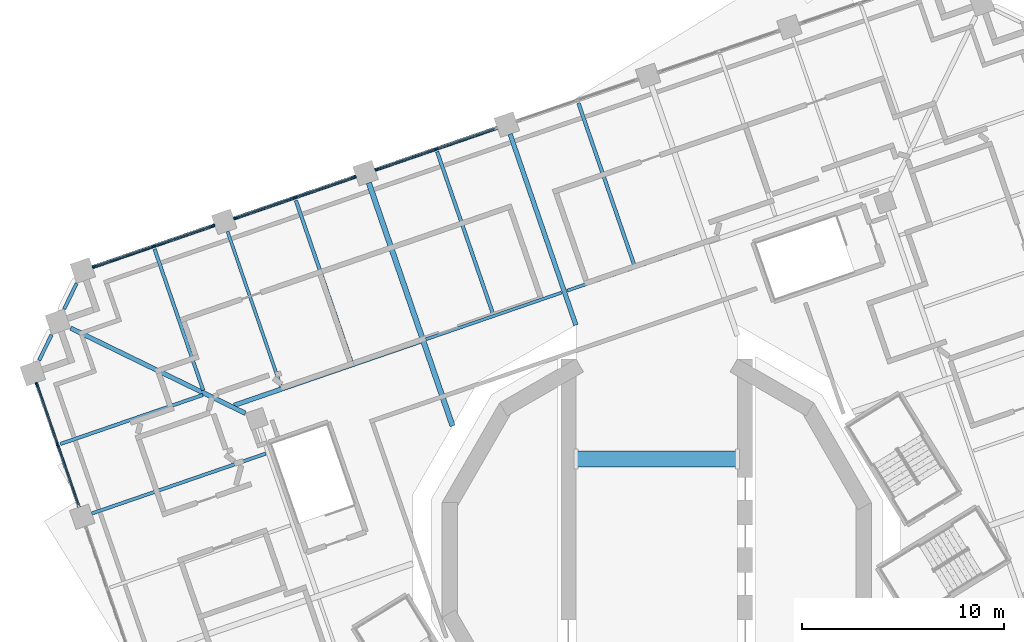
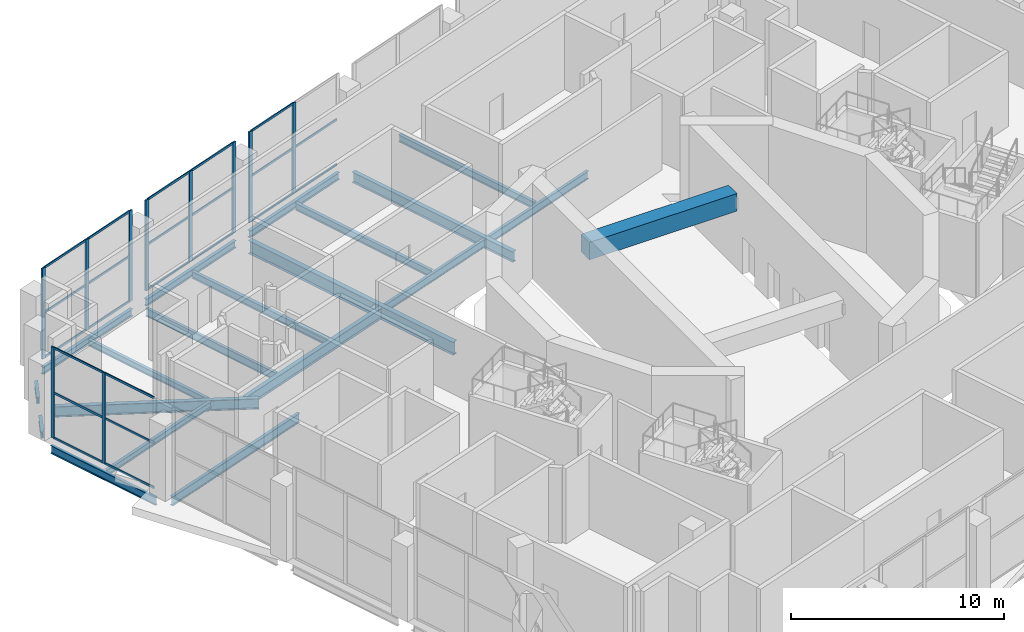
# One storey, part 6 of 20: 33 members, 20 beams, 4 elements without a shape of their own.
"""IFC4 building model written with IfcOpenShell, lengths in metres."""

from ifc_helpers import new_model, si_unit, direction, frame, origin, origin_2d, place, context, subcontext, project, spatial, rectangle, i_section, extrude, material, material_profile, profile_set, type_object, element, aggregate, save


model = new_model("IFC4")

# Units and contexts
model_context = context("Model", 3, precision=1e-05, world=origin(), true_north=direction((0.0, 1.0)))
body_context = subcontext(model_context, "Body", "Model", "MODEL_VIEW")
ifc_project = project(units=[si_unit("LENGTHUNIT", "METRE"), si_unit("AREAUNIT", "SQUARE_METRE"), si_unit("VOLUMEUNIT", "CUBIC_METRE"), si_unit("PLANEANGLEUNIT", "RADIAN"), si_unit("MASSUNIT", "GRAM", prefix="KILO")], contexts=[model_context])

# Site, building, storey
site_placement = place(None, origin())
site = spatial("IfcSite", under=ifc_project, at=site_placement, CompositionType="ELEMENT")
building_placement = place(site_placement, origin())
building = spatial("IfcBuilding", under=site, at=building_placement, Name="Cantera Rosa Tower", CompositionType="ELEMENT")
storey_placement = place(building_placement, frame((0.0, 0.0, 142.10009765625)))
storey = spatial("IfcBuildingStorey", under=building, at=storey_placement, Name="L30", CompositionType="ELEMENT", Elevation=142.10009765625)

# Curtain wall, members
ifc_material_1 = material(Name="Anodised aluminium louvre", Category="aluminium")
curtain_wall_type = type_object("IfcCurtainWallType", Name="CW3 REFUGE LOUVRE WALL", PredefinedType="NOTDEFINED", material=ifc_material_1)
curtain_wall_1_placement = place(storey_placement, origin())
curtain_wall_1 = element("IfcCurtainWall", 1, at=curtain_wall_1_placement, inside=storey, type_object=curtain_wall_type, Name="CW3 CW3", PredefinedType="NOTDEFINED")
ifc_material_2 = material(Name="Anodised bronze aluminium", Category="aluminium")
ifc_material_profile_1 = material_profile(ifc_material_2, rectangle(XDim=0.080078125, YDim=0.199951171875, at=origin_2d()), Name="CW-MULLION 80x200 REFUGE")
ifc_profile_set_1 = profile_set([ifc_material_profile_1], Name="Anodised bronze aluminium")
member_type_1 = type_object("IfcMemberType", Name="CW-MULLION 80x200 REFUGE", PredefinedType="MULLION", material=ifc_profile_set_1)
member_1_placement = place(storey_placement, frame((-10.92138671875, 20.353271484375, 0.0), z_axis=(0.0, 0.0, 1.0), x_axis=(0.325568154457, -0.945518575599, 0.0)))
member_1 = element("IfcMember", 2, at=member_1_placement, type_object=member_type_1, Name="CW3 mullion 2", PredefinedType="MULLION", context=body_context, shape_type="SweptSolid", body=[
    extrude(rectangle(XDim=0.080078125, YDim=0.199951171875, at=origin_2d()), origin(), (0.0, 0.0, 1.0), 5.199951171875),
])
member_2_placement = place(storey_placement, frame((-13.86181640625, 19.3408203125, 0.0), z_axis=(0.0, 0.0, 1.0), x_axis=(0.325568154457, -0.945518575599, 0.0)))
member_2 = element("IfcMember", 3, at=member_2_placement, type_object=member_type_1, Name="CW3 mullion 3", PredefinedType="MULLION", context=body_context, shape_type="SweptSolid", body=[
    extrude(rectangle(XDim=0.080078125, YDim=0.199951171875, at=origin_2d()), origin(), (0.0, 0.0, 1.0), 5.199951171875),
])

curtain_wall_2_placement = place(storey_placement, origin())
curtain_wall_2 = element("IfcCurtainWall", 4, at=curtain_wall_2_placement, inside=storey, type_object=curtain_wall_type, Name="CW3 CW3", PredefinedType="NOTDEFINED")
member_3_placement = place(storey_placement, frame((-14.9775390625, 18.95654296875, 0.0), z_axis=(0.0, 0.0, 1.0), x_axis=(0.325568154457, -0.945518575599, 0.0)))
member_3 = element("IfcMember", 5, at=member_3_placement, type_object=member_type_1, Name="CW3 mullion 1", PredefinedType="MULLION", context=body_context, shape_type="SweptSolid", body=[
    extrude(rectangle(XDim=0.080078125, YDim=0.199951171875, at=origin_2d()), origin(), (0.0, 0.0, 1.0), 5.199951171875),
])
member_4_placement = place(storey_placement, frame((-17.918212890625, 17.944091796875, 0.0), z_axis=(0.0, 0.0, 1.0), x_axis=(0.325568154457, -0.945518575599, 0.0)))
member_4 = element("IfcMember", 6, at=member_4_placement, type_object=member_type_1, Name="CW3 mullion 2", PredefinedType="MULLION", context=body_context, shape_type="SweptSolid", body=[
    extrude(rectangle(XDim=0.080078125, YDim=0.199951171875, at=origin_2d()), origin(), (0.0, 0.0, 1.0), 5.199951171875),
])
member_5_placement = place(storey_placement, frame((-20.85888671875, 16.931396484375, 0.0), z_axis=(0.0, 0.0, 1.0), x_axis=(0.325568154457, -0.945518575599, 0.0)))
member_5 = element("IfcMember", 7, at=member_5_placement, type_object=member_type_1, Name="CW3 mullion 3", PredefinedType="MULLION", context=body_context, shape_type="SweptSolid", body=[
    extrude(rectangle(XDim=0.080078125, YDim=0.199951171875, at=origin_2d()), origin(), (0.0, 0.0, 1.0), 5.199951171875),
])

curtain_wall_3_placement = place(storey_placement, origin())
curtain_wall_3 = element("IfcCurtainWall", 8, at=curtain_wall_3_placement, inside=storey, type_object=curtain_wall_type, Name="CW3 CW3", PredefinedType="NOTDEFINED")
member_6_placement = place(storey_placement, frame((-21.974365234375, 16.54736328125, 0.0), z_axis=(0.0, 0.0, 1.0), x_axis=(0.325568154457, -0.945518575599, 0.0)))
member_6 = element("IfcMember", 9, at=member_6_placement, type_object=member_type_1, Name="CW3 mullion 1", PredefinedType="MULLION", context=body_context, shape_type="SweptSolid", body=[
    extrude(rectangle(XDim=0.080078125, YDim=0.199951171875, at=origin_2d()), origin(), (0.0, 0.0, 1.0), 5.199951171875),
])
member_7_placement = place(storey_placement, frame((-24.9150390625, 15.534912109375, 0.0), z_axis=(0.0, 0.0, 1.0), x_axis=(0.325568154457, -0.945518575599, 0.0)))
member_7 = element("IfcMember", 10, at=member_7_placement, type_object=member_type_1, Name="CW3 mullion 2", PredefinedType="MULLION", context=body_context, shape_type="SweptSolid", body=[
    extrude(rectangle(XDim=0.080078125, YDim=0.199951171875, at=origin_2d()), origin(), (0.0, 0.0, 1.0), 5.199951171875),
])
member_8_placement = place(storey_placement, frame((-27.855712890625, 14.522216796875, 0.0), z_axis=(0.0, 0.0, 1.0), x_axis=(0.325568154457, -0.945518575599, 0.0)))
member_8 = element("IfcMember", 11, at=member_8_placement, type_object=member_type_1, Name="CW3 mullion 3", PredefinedType="MULLION", context=body_context, shape_type="SweptSolid", body=[
    extrude(rectangle(XDim=0.080078125, YDim=0.199951171875, at=origin_2d()), origin(), (0.0, 0.0, 1.0), 5.199951171875),
])

curtain_wall_4_placement = place(storey_placement, origin())
curtain_wall_4 = element("IfcCurtainWall", 12, at=curtain_wall_4_placement, inside=storey, type_object=curtain_wall_type, Name="CW3 CW3", PredefinedType="NOTDEFINED")
member_9_placement = place(storey_placement, frame((-30.701171875, 8.68798828125, 0.0), z_axis=(0.0, 0.0, 1.0), x_axis=(0.945518575605, 0.325568154441, 0.0)))
member_9 = element("IfcMember", 13, at=member_9_placement, type_object=member_type_1, Name="CW3 mullion 1", PredefinedType="MULLION", context=body_context, shape_type="SweptSolid", body=[
    extrude(rectangle(XDim=0.080078125, YDim=0.199951171875, at=origin_2d()), origin(), (0.0, 0.0, 1.0), 5.199951171875),
])
member_10_placement = place(storey_placement, frame((-29.669189453125, 5.690673828125, 0.0), z_axis=(0.0, 0.0, 1.0), x_axis=(0.945518575605, 0.325568154441, 0.0)))
member_10 = element("IfcMember", 14, at=member_10_placement, type_object=member_type_1, Name="CW3 mullion 2", PredefinedType="MULLION", context=body_context, shape_type="SweptSolid", body=[
    extrude(rectangle(XDim=0.080078125, YDim=0.199951171875, at=origin_2d()), origin(), (0.0, 0.0, 1.0), 5.199951171875),
])

# Member
ifc_material_3 = material(Name="Anodised bronze aluminium", Category="aluminium")
ifc_material_profile_2 = material_profile(ifc_material_3, rectangle(XDim=0.06005859375, YDim=0.1201171875, at=origin_2d()), Name="CW-TRANSOM 60x120 REFUGE")
ifc_profile_set_2 = profile_set([ifc_material_profile_2], Name="Anodised bronze aluminium")
member_type_2 = type_object("IfcMemberType", Name="CW-TRANSOM 60x120 REFUGE", PredefinedType="USERDEFINED", material=ifc_profile_set_2)
member_11_placement = place(storey_placement, frame((-8.0185546875, 21.352783203125, 0.02978515625), z_axis=(-0.94551075118, -0.325590877334, 0.0), x_axis=(0.325590877334, -0.94551075118, 0.0)))
member_11 = element("IfcMember", 15, at=member_11_placement, type_object=member_type_2, Name="CW3 transom 1.1", ObjectType="TRANSOM", PredefinedType="USERDEFINED", context=body_context, shape_type="SweptSolid", body=[
    extrude(rectangle(XDim=0.06005859375, YDim=0.1201171875, at=origin_2d()), origin(), (0.0, 0.0, 1.0), 3.030029296875),
])

member_12_placement = place(storey_placement, frame((-8.0185546875, 21.352783203125, 2.599853515625), z_axis=(-0.94551075118, -0.325590877334, 0.0), x_axis=(0.325590877334, -0.94551075118, 0.0)))
member_12 = element("IfcMember", 16, at=member_12_placement, type_object=member_type_2, Name="CW3 transom 1.2", ObjectType="TRANSOM", PredefinedType="USERDEFINED", context=body_context, shape_type="SweptSolid", body=[
    extrude(rectangle(XDim=0.06005859375, YDim=0.1201171875, at=origin_2d()), origin(), (0.0, 0.0, 1.0), 3.030029296875),
])

member_13_placement = place(storey_placement, frame((-10.959228515625, 20.340087890625, 0.02978515625), z_axis=(-0.945535553107, -0.325518844018, 0.0), x_axis=(0.325518844018, -0.945535553107, 0.0)))
member_13 = element("IfcMember", 17, at=member_13_placement, type_object=member_type_2, Name="CW3 transom 2.1", ObjectType="TRANSOM", PredefinedType="USERDEFINED", context=body_context, shape_type="SweptSolid", body=[
    extrude(rectangle(XDim=0.06005859375, YDim=0.1201171875, at=origin_2d()), origin(), (0.0, 0.0, 1.0), 3.030029296875),
])

member_14_placement = place(storey_placement, frame((-10.959228515625, 20.340087890625, 2.599853515625), z_axis=(-0.945535553107, -0.325518844018, 0.0), x_axis=(0.325518844018, -0.945535553107, 0.0)))
member_14 = element("IfcMember", 18, at=member_14_placement, type_object=member_type_2, Name="CW3 transom 2.2", ObjectType="TRANSOM", PredefinedType="USERDEFINED", context=body_context, shape_type="SweptSolid", body=[
    extrude(rectangle(XDim=0.06005859375, YDim=0.1201171875, at=origin_2d()), origin(), (0.0, 0.0, 1.0), 3.030029296875),
])

member_15_placement = place(storey_placement, frame((-10.959228515625, 20.340087890625, 5.169921875), z_axis=(-0.945535553107, -0.325518844018, 0.0), x_axis=(0.325518844018, -0.945535553107, 0.0)))
member_15 = element("IfcMember", 19, at=member_15_placement, type_object=member_type_2, Name="CW3 transom 2.3", ObjectType="TRANSOM", PredefinedType="USERDEFINED", context=body_context, shape_type="SweptSolid", body=[
    extrude(rectangle(XDim=0.06005859375, YDim=0.1201171875, at=origin_2d()), origin(), (0.0, 0.0, 1.0), 3.030029296875),
])

aggregate(curtain_wall_1, [member_1, member_2, member_11, member_12, member_13, member_14, member_15])

member_16_placement = place(storey_placement, frame((-15.015380859375, 18.943603515625, 0.02978515625), z_axis=(-0.94551075118, -0.325590877334, 0.0), x_axis=(0.325590877334, -0.94551075118, 0.0)))
member_16 = element("IfcMember", 20, at=member_16_placement, type_object=member_type_2, Name="CW3 transom 1.1", ObjectType="TRANSOM", PredefinedType="USERDEFINED", context=body_context, shape_type="SweptSolid", body=[
    extrude(rectangle(XDim=0.06005859375, YDim=0.1201171875, at=origin_2d()), origin(), (0.0, 0.0, 1.0), 3.030029296875),
])

member_17_placement = place(storey_placement, frame((-15.015380859375, 18.943603515625, 2.599853515625), z_axis=(-0.94551075118, -0.325590877334, 0.0), x_axis=(0.325590877334, -0.94551075118, 0.0)))
member_17 = element("IfcMember", 21, at=member_17_placement, type_object=member_type_2, Name="CW3 transom 1.2", ObjectType="TRANSOM", PredefinedType="USERDEFINED", context=body_context, shape_type="SweptSolid", body=[
    extrude(rectangle(XDim=0.06005859375, YDim=0.1201171875, at=origin_2d()), origin(), (0.0, 0.0, 1.0), 3.030029296875),
])

member_18_placement = place(storey_placement, frame((-15.015380859375, 18.943603515625, 5.169921875), z_axis=(-0.94551075118, -0.325590877334, 0.0), x_axis=(0.325590877334, -0.94551075118, 0.0)))
member_18 = element("IfcMember", 22, at=member_18_placement, type_object=member_type_2, Name="CW3 transom 1.3", ObjectType="TRANSOM", PredefinedType="USERDEFINED", context=body_context, shape_type="SweptSolid", body=[
    extrude(rectangle(XDim=0.06005859375, YDim=0.1201171875, at=origin_2d()), origin(), (0.0, 0.0, 1.0), 3.030029296875),
])

member_19_placement = place(storey_placement, frame((-17.9560546875, 17.930908203125, 0.02978515625), z_axis=(-0.945535553107, -0.325518844018, 0.0), x_axis=(0.325518844018, -0.945535553107, 0.0)))
member_19 = element("IfcMember", 23, at=member_19_placement, type_object=member_type_2, Name="CW3 transom 2.1", ObjectType="TRANSOM", PredefinedType="USERDEFINED", context=body_context, shape_type="SweptSolid", body=[
    extrude(rectangle(XDim=0.06005859375, YDim=0.1201171875, at=origin_2d()), origin(), (0.0, 0.0, 1.0), 3.030029296875),
])

member_20_placement = place(storey_placement, frame((-17.9560546875, 17.930908203125, 2.599853515625), z_axis=(-0.945535553107, -0.325518844018, 0.0), x_axis=(0.325518844018, -0.945535553107, 0.0)))
member_20 = element("IfcMember", 24, at=member_20_placement, type_object=member_type_2, Name="CW3 transom 2.2", ObjectType="TRANSOM", PredefinedType="USERDEFINED", context=body_context, shape_type="SweptSolid", body=[
    extrude(rectangle(XDim=0.06005859375, YDim=0.1201171875, at=origin_2d()), origin(), (0.0, 0.0, 1.0), 3.030029296875),
])

member_21_placement = place(storey_placement, frame((-17.9560546875, 17.930908203125, 5.169921875), z_axis=(-0.945535553107, -0.325518844018, 0.0), x_axis=(0.325518844018, -0.945535553107, 0.0)))
member_21 = element("IfcMember", 25, at=member_21_placement, type_object=member_type_2, Name="CW3 transom 2.3", ObjectType="TRANSOM", PredefinedType="USERDEFINED", context=body_context, shape_type="SweptSolid", body=[
    extrude(rectangle(XDim=0.06005859375, YDim=0.1201171875, at=origin_2d()), origin(), (0.0, 0.0, 1.0), 3.030029296875),
])

aggregate(curtain_wall_2, [member_3, member_4, member_5, member_16, member_17, member_18, member_19, member_20, member_21])

member_22_placement = place(storey_placement, frame((-22.01220703125, 16.534423828125, 0.02978515625), z_axis=(-0.94551075118, -0.325590877334, 0.0), x_axis=(0.325590877334, -0.94551075118, 0.0)))
member_22 = element("IfcMember", 26, at=member_22_placement, type_object=member_type_2, Name="CW3 transom 1.1", ObjectType="TRANSOM", PredefinedType="USERDEFINED", context=body_context, shape_type="SweptSolid", body=[
    extrude(rectangle(XDim=0.06005859375, YDim=0.1201171875, at=origin_2d()), origin(), (0.0, 0.0, 1.0), 3.030029296875),
])

member_23_placement = place(storey_placement, frame((-22.01220703125, 16.534423828125, 2.599853515625), z_axis=(-0.94551075118, -0.325590877334, 0.0), x_axis=(0.325590877334, -0.94551075118, 0.0)))
member_23 = element("IfcMember", 27, at=member_23_placement, type_object=member_type_2, Name="CW3 transom 1.2", ObjectType="TRANSOM", PredefinedType="USERDEFINED", context=body_context, shape_type="SweptSolid", body=[
    extrude(rectangle(XDim=0.06005859375, YDim=0.1201171875, at=origin_2d()), origin(), (0.0, 0.0, 1.0), 3.030029296875),
])

member_24_placement = place(storey_placement, frame((-22.01220703125, 16.534423828125, 5.169921875), z_axis=(-0.94551075118, -0.325590877334, 0.0), x_axis=(0.325590877334, -0.94551075118, 0.0)))
member_24 = element("IfcMember", 28, at=member_24_placement, type_object=member_type_2, Name="CW3 transom 1.3", ObjectType="TRANSOM", PredefinedType="USERDEFINED", context=body_context, shape_type="SweptSolid", body=[
    extrude(rectangle(XDim=0.06005859375, YDim=0.1201171875, at=origin_2d()), origin(), (0.0, 0.0, 1.0), 3.030029296875),
])

member_25_placement = place(storey_placement, frame((-24.952880859375, 15.521728515625, 0.02978515625), z_axis=(-0.945535553107, -0.325518844018, 0.0), x_axis=(0.325518844018, -0.945535553107, 0.0)))
member_25 = element("IfcMember", 29, at=member_25_placement, type_object=member_type_2, Name="CW3 transom 2.1", ObjectType="TRANSOM", PredefinedType="USERDEFINED", context=body_context, shape_type="SweptSolid", body=[
    extrude(rectangle(XDim=0.06005859375, YDim=0.1201171875, at=origin_2d()), origin(), (0.0, 0.0, 1.0), 3.030029296875),
])

member_26_placement = place(storey_placement, frame((-24.952880859375, 15.521728515625, 2.599853515625), z_axis=(-0.945535553107, -0.325518844018, 0.0), x_axis=(0.325518844018, -0.945535553107, 0.0)))
member_26 = element("IfcMember", 30, at=member_26_placement, type_object=member_type_2, Name="CW3 transom 2.2", ObjectType="TRANSOM", PredefinedType="USERDEFINED", context=body_context, shape_type="SweptSolid", body=[
    extrude(rectangle(XDim=0.06005859375, YDim=0.1201171875, at=origin_2d()), origin(), (0.0, 0.0, 1.0), 3.030029296875),
])

member_27_placement = place(storey_placement, frame((-24.952880859375, 15.521728515625, 5.169921875), z_axis=(-0.945535553107, -0.325518844018, 0.0), x_axis=(0.325518844018, -0.945535553107, 0.0)))
member_27 = element("IfcMember", 31, at=member_27_placement, type_object=member_type_2, Name="CW3 transom 2.3", ObjectType="TRANSOM", PredefinedType="USERDEFINED", context=body_context, shape_type="SweptSolid", body=[
    extrude(rectangle(XDim=0.06005859375, YDim=0.1201171875, at=origin_2d()), origin(), (0.0, 0.0, 1.0), 3.030029296875),
])

aggregate(curtain_wall_3, [member_6, member_7, member_8, member_22, member_23, member_24, member_25, member_26, member_27])

member_28_placement = place(storey_placement, frame((-30.688232421875, 8.650146484375, 0.02978515625), z_axis=(0.325598629893, -0.945508081516, 0.0), x_axis=(0.945508081516, 0.325598629893, 0.0)))
member_28 = element("IfcMember", 32, at=member_28_placement, type_object=member_type_2, Name="CW3 transom 1.1", ObjectType="TRANSOM", PredefinedType="USERDEFINED", context=body_context, shape_type="SweptSolid", body=[
    extrude(rectangle(XDim=0.06005859375, YDim=0.1201171875, at=origin_2d()), origin(), (0.0, 0.0, 1.0), 3.090087890625),
])

member_29_placement = place(storey_placement, frame((-30.688232421875, 8.650146484375, 2.599853515625), z_axis=(0.325598629893, -0.945508081516, 0.0), x_axis=(0.945508081516, 0.325598629893, 0.0)))
member_29 = element("IfcMember", 33, at=member_29_placement, type_object=member_type_2, Name="CW3 transom 1.2", ObjectType="TRANSOM", PredefinedType="USERDEFINED", context=body_context, shape_type="SweptSolid", body=[
    extrude(rectangle(XDim=0.06005859375, YDim=0.1201171875, at=origin_2d()), origin(), (0.0, 0.0, 1.0), 3.090087890625),
])

member_30_placement = place(storey_placement, frame((-30.688232421875, 8.650146484375, 5.169921875), z_axis=(0.325598629893, -0.945508081516, 0.0), x_axis=(0.945508081516, 0.325598629893, 0.0)))
member_30 = element("IfcMember", 34, at=member_30_placement, type_object=member_type_2, Name="CW3 transom 1.3", ObjectType="TRANSOM", PredefinedType="USERDEFINED", context=body_context, shape_type="SweptSolid", body=[
    extrude(rectangle(XDim=0.06005859375, YDim=0.1201171875, at=origin_2d()), origin(), (0.0, 0.0, 1.0), 3.090087890625),
])

member_31_placement = place(storey_placement, frame((-29.656005859375, 5.65283203125, 0.02978515625), z_axis=(0.325527993713, -0.945532403098, 0.0), x_axis=(0.945532403098, 0.325527993713, 0.0)))
member_31 = element("IfcMember", 35, at=member_31_placement, type_object=member_type_2, Name="CW3 transom 2.1", ObjectType="TRANSOM", PredefinedType="USERDEFINED", context=body_context, shape_type="SweptSolid", body=[
    extrude(rectangle(XDim=0.06005859375, YDim=0.1201171875, at=origin_2d()), origin(), (0.0, 0.0, 1.0), 3.08984375),
])

member_32_placement = place(storey_placement, frame((-29.656005859375, 5.65283203125, 2.599853515625), z_axis=(0.325527993713, -0.945532403098, 0.0), x_axis=(0.945532403098, 0.325527993713, 0.0)))
member_32 = element("IfcMember", 36, at=member_32_placement, type_object=member_type_2, Name="CW3 transom 2.2", ObjectType="TRANSOM", PredefinedType="USERDEFINED", context=body_context, shape_type="SweptSolid", body=[
    extrude(rectangle(XDim=0.06005859375, YDim=0.1201171875, at=origin_2d()), origin(), (0.0, 0.0, 1.0), 3.08984375),
])

member_33_placement = place(storey_placement, frame((-29.656005859375, 5.65283203125, 5.169921875), z_axis=(0.325527993713, -0.945532403098, 0.0), x_axis=(0.945532403098, 0.325527993713, 0.0)))
member_33 = element("IfcMember", 37, at=member_33_placement, type_object=member_type_2, Name="CW3 transom 2.3", ObjectType="TRANSOM", PredefinedType="USERDEFINED", context=body_context, shape_type="SweptSolid", body=[
    extrude(rectangle(XDim=0.06005859375, YDim=0.1201171875, at=origin_2d()), origin(), (0.0, 0.0, 1.0), 3.08984375),
])

aggregate(curtain_wall_4, [member_9, member_10, member_28, member_29, member_30, member_31, member_32, member_33])

# Beams
ifc_material_4 = material(Name="Concrete C60/75", Category="concrete")
ifc_material_profile_3 = material_profile(ifc_material_4, rectangle(XDim=0.800048828125, YDim=1.0, at=origin_2d()), Name="RC COUPLING BEAM RC800X1000 C60/75")
ifc_profile_set_3 = profile_set([ifc_material_profile_3], Name="Concrete C60/75")
beam_type_1 = type_object("IfcBeamType", Name="RC COUPLING BEAM RC800X1000 C60/75", PredefinedType="BEAM", material=ifc_profile_set_3)
beam_1_placement = place(storey_placement, frame((-4.0, 5.0, 3.7998046875), z_axis=(1.0, 0.0, 0.0), x_axis=(0.0, 1.0, 0.0)))
element("IfcBeam", 38, at=beam_1_placement, inside=storey, type_object=beam_type_1, Name="CPL-L30-2", PredefinedType="BEAM", context=body_context, shape_type="SweptSolid", body=[
    extrude(rectangle(XDim=0.800048828125, YDim=1.0, at=origin_2d()), origin(), (0.0, 0.0, 1.0), 8.0),
])
ifc_material_5 = material(Name="Steel ASTM A992 (Fy 345 MPa)", Category="steel")
ifc_material_profile_4 = material_profile(ifc_material_5, i_section(OverallWidth=0.154052734375, OverallDepth=0.4599609375, WebThickness=0.009033203125, FlangeThickness=0.015380859375, FilletRadius=0.01025390625, at=origin_2d()), Name="W460X68")
ifc_profile_set_4 = profile_set([ifc_material_profile_4], Name="Steel ASTM A992 (Fy 345 MPa)")
beam_type_2 = type_object("IfcBeamType", Name="STEEL BEAM W460X68", PredefinedType="BEAM", material=ifc_profile_set_4)
beam_2_placement = place(storey_placement, frame((-21.25390625, 16.2666015625, -0.68017578125), z_axis=(0.325580085327, -0.945514467387, 0.0), x_axis=(0.945514467387, 0.325580085327, 0.0)))
element("IfcBeam", 39, at=beam_2_placement, inside=storey, type_object=beam_type_2, Name="G-Z2-09 L30", PredefinedType="BEAM", context=body_context, shape_type="SweptSolid", body=[
    extrude(i_section(OverallWidth=0.154052734375, OverallDepth=0.4599609375, WebThickness=0.009033203125, FlangeThickness=0.015380859375, FilletRadius=0.01025390625, at=origin_2d()), origin(), (0.0, 0.0, 1.0), 8.10009765625),
])
beam_3_placement = place(storey_placement, frame((-11.42919921875, 10.924072265625, -0.68017578125), z_axis=(0.945518325606, 0.32556888049, 0.0), x_axis=(-0.32556888049, 0.945518325606, 0.0)))
element("IfcBeam", 40, at=beam_3_placement, inside=storey, type_object=beam_type_2, Name="RB-Z2-02 L30", PredefinedType="BEAM", context=body_context, shape_type="SweptSolid", body=[
    extrude(i_section(OverallWidth=0.154052734375, OverallDepth=0.4599609375, WebThickness=0.009033203125, FlangeThickness=0.015380859375, FilletRadius=0.01025390625, at=origin_2d()), origin(), (0.0, 0.0, 1.0), 7.099853515625),
])
beam_4_placement = place(storey_placement, frame((-4.432373046875, 13.333251953125, -0.68017578125), z_axis=(0.945507740063, 0.325599621437, 0.0), x_axis=(-0.325599621437, 0.945507740063, 0.0)))
element("IfcBeam", 41, at=beam_4_placement, inside=storey, type_object=beam_type_2, Name="RB-Z2-03 L30", PredefinedType="BEAM", context=body_context, shape_type="SweptSolid", body=[
    extrude(i_section(OverallWidth=0.154052734375, OverallDepth=0.4599609375, WebThickness=0.009033203125, FlangeThickness=0.015380859375, FilletRadius=0.01025390625, at=origin_2d()), origin(), (0.0, 0.0, 1.0), 7.10009765625),
])
ifc_material_6 = material(Name="Steel ASTM A992 (Fy 345 MPa)", Category="steel")
ifc_material_profile_5 = material_profile(ifc_material_6, i_section(OverallWidth=0.166015625, OverallDepth=0.528076171875, WebThickness=0.009765625, FlangeThickness=0.013671875, FilletRadius=0.0126953125, at=origin_2d()), Name="W530X74")
ifc_profile_set_5 = profile_set([ifc_material_profile_5], Name="Steel ASTM A992 (Fy 345 MPa)")
beam_type_3 = type_object("IfcBeamType", Name="STEEL BEAM W530X74", PredefinedType="BEAM", material=ifc_profile_set_5)
beam_5_placement = place(storey_placement, frame((-27.97216796875, 2.29833984375, -0.714111328125), z_axis=(0.94551971591, 0.325564842737, 0.0), x_axis=(-0.325564842737, 0.94551971591, 0.0)))
element("IfcBeam", 42, at=beam_5_placement, inside=storey, type_object=beam_type_3, Name="G-Z2-15 L30", PredefinedType="BEAM", context=body_context, shape_type="SweptSolid", body=[
    extrude(i_section(OverallWidth=0.166015625, OverallDepth=0.528076171875, WebThickness=0.009765625, FlangeThickness=0.013671875, FilletRadius=0.0126953125, at=origin_2d()), origin(), (0.0, 0.0, 1.0), 9.10009765625),
])
ifc_material_7 = material(Name="Steel ASTM A992 (Fy 345 MPa)", Category="steel")
ifc_material_profile_6 = material_profile(ifc_material_7, i_section(OverallWidth=0.22802734375, OverallDepth=0.60205078125, WebThickness=0.010498046875, FlangeThickness=0.014892578125, FilletRadius=0.0126953125, at=origin_2d()), Name="W610X101")
ifc_profile_set_6 = profile_set([ifc_material_profile_6], Name="Steel ASTM A992 (Fy 345 MPa)")
beam_type_4 = type_object("IfcBeamType", Name="STEEL BEAM W610X101", PredefinedType="BEAM", material=ifc_profile_set_6)
beam_6_placement = place(storey_placement, frame((-29.017822265625, 11.47802734375, -0.7509765625), z_axis=(0.898796015179, -0.438367109965, 0.0), x_axis=(0.438367109965, 0.898796015179, 0.0)))
element("IfcBeam", 43, at=beam_6_placement, inside=storey, type_object=beam_type_4, Name="CB-Z2-02 L30", PredefinedType="BEAM", context=body_context, shape_type="SweptSolid", body=[
    extrude(i_section(OverallWidth=0.22802734375, OverallDepth=0.60205078125, WebThickness=0.010498046875, FlangeThickness=0.014892578125, FilletRadius=0.0126953125, at=origin_2d()), origin(), (0.0, 0.0, 1.0), 9.616455078125),
])
beam_7_placement = place(storey_placement, frame((-7.26025390625, 21.0849609375, -0.7509765625), z_axis=(0.325587365823, -0.945511960377, 0.0), x_axis=(0.945511960377, 0.325587365823, 0.0)))
element("IfcBeam", 44, at=beam_7_placement, inside=storey, type_object=beam_type_4, Name="G-Z2-07 L30", PredefinedType="BEAM", context=body_context, shape_type="SweptSolid", body=[
    extrude(i_section(OverallWidth=0.22802734375, OverallDepth=0.60205078125, WebThickness=0.010498046875, FlangeThickness=0.014892578125, FilletRadius=0.0126953125, at=origin_2d()), origin(), (0.0, 0.0, 1.0), 10.0),
])
ifc_material_8 = material(Name="Steel ASTM A992 (Fy 345 MPa)", Category="steel")
ifc_material_profile_7 = material_profile(ifc_material_8, i_section(OverallWidth=0.22900390625, OverallDepth=0.612060546875, WebThickness=0.011962890625, FlangeThickness=0.01953125, FilletRadius=0.0126953125, at=origin_2d()), Name="W610X125")
ifc_profile_set_7 = profile_set([ifc_material_profile_7], Name="Steel ASTM A992 (Fy 345 MPa)")
beam_type_5 = type_object("IfcBeamType", Name="STEEL BEAM W610X125", PredefinedType="BEAM", material=ifc_profile_set_7)
beam_8_placement = place(storey_placement, frame((-20.931640625, 7.652099609375, -0.756103515625), z_axis=(0.945517116269, 0.32557239263, 0.0), x_axis=(-0.32557239263, 0.945517116269, 0.0)))
element("IfcBeam", 45, at=beam_8_placement, inside=storey, type_object=beam_type_5, Name="RB-Z2-01 L30", PredefinedType="BEAM", context=body_context, shape_type="SweptSolid", body=[
    extrude(i_section(OverallWidth=0.22900390625, OverallDepth=0.612060546875, WebThickness=0.011962890625, FlangeThickness=0.01953125, FilletRadius=0.0126953125, at=origin_2d()), origin(), (0.0, 0.0, 1.0), 9.75),
])
ifc_material_9 = material(Name="Steel ASTM A992 (Fy 345 MPa)", Category="steel")
ifc_material_profile_8 = material_profile(ifc_material_9, i_section(OverallWidth=0.26708984375, OverallDepth=0.75390625, WebThickness=0.01318359375, FlangeThickness=0.01708984375, FilletRadius=0.0166015625, at=origin_2d()), Name="W760X147")
ifc_profile_set_8 = profile_set([ifc_material_profile_8], Name="Steel ASTM A992 (Fy 345 MPa)")
beam_type_6 = type_object("IfcBeamType", Name="STEEL BEAM W760X147", PredefinedType="BEAM", material=ifc_profile_set_8)
beam_9_placement = place(storey_placement, frame((-14.257080078125, 18.67578125, -0.8271484375), z_axis=(0.325575880476, -0.945515915282, 0.0), x_axis=(0.945515915282, 0.325575880476, 0.0)))
element("IfcBeam", 46, at=beam_9_placement, inside=storey, type_object=beam_type_6, Name="G-Z2-08 L30", PredefinedType="BEAM", context=body_context, shape_type="SweptSolid", body=[
    extrude(i_section(OverallWidth=0.26708984375, OverallDepth=0.75390625, WebThickness=0.01318359375, FlangeThickness=0.01708984375, FilletRadius=0.0166015625, at=origin_2d()), origin(), (0.0, 0.0, 1.0), 12.734375),
])
ifc_material_10 = material(Name="Steel ASTM A992 (Fy 345 MPa)", Category="steel")
ifc_material_profile_9 = material_profile(ifc_material_10, i_section(OverallWidth=0.1708984375, OverallDepth=0.35595703125, WebThickness=0.00732421875, FlangeThickness=0.01171875, FilletRadius=0.010009765625, at=origin_2d()), Name="W360X51")
ifc_profile_set_9 = profile_set([ifc_material_profile_9], Name="Steel ASTM A992 (Fy 345 MPa)")
beam_type_7 = type_object("IfcBeamType", Name="STEEL JOIST W360X51", PredefinedType="JOIST", material=ifc_profile_set_9)
beam_10_placement = place(storey_placement, frame((-24.8662109375, 15.39306640625, -0.628173828125), z_axis=(0.325565645331, -0.945519439557, 0.0), x_axis=(0.945519439557, 0.325565645331, 0.0)))
element("IfcBeam", 47, at=beam_10_placement, inside=storey, type_object=beam_type_7, Name="B-Z2-11 L30", PredefinedType="JOIST", context=body_context, shape_type="SweptSolid", body=[
    extrude(i_section(OverallWidth=0.1708984375, OverallDepth=0.35595703125, WebThickness=0.00732421875, FlangeThickness=0.01171875, FilletRadius=0.010009765625, at=origin_2d()), origin(), (0.0, 0.0, 1.0), 7.39990234375),
])
beam_11_placement = place(storey_placement, frame((-29.52734375, 5.739501953125, -0.628173828125), z_axis=(0.945521732807, 0.325558985116, 0.0), x_axis=(-0.325558985116, 0.945521732807, 0.0)))
element("IfcBeam", 48, at=beam_11_placement, inside=storey, type_object=beam_type_7, Name="B-Z2-18 L30", PredefinedType="JOIST", context=body_context, shape_type="SweptSolid", body=[
    extrude(i_section(OverallWidth=0.1708984375, OverallDepth=0.35595703125, WebThickness=0.00732421875, FlangeThickness=0.01171875, FilletRadius=0.010009765625, at=origin_2d()), origin(), (0.0, 0.0, 1.0), 7.460205078125),
])
ifc_material_11 = material(Name="Steel ASTM A992 (Fy 345 MPa)", Category="steel")
ifc_material_profile_10 = material_profile(ifc_material_11, i_section(OverallWidth=0.177978515625, OverallDepth=0.406005859375, WebThickness=0.0078125, FlangeThickness=0.0126953125, FilletRadius=0.01025390625, at=origin_2d()), Name="W410X60")
ifc_profile_set_10 = profile_set([ifc_material_profile_10], Name="Steel ASTM A992 (Fy 345 MPa)")
beam_type_8 = type_object("IfcBeamType", Name="STEEL JOIST W410X60", PredefinedType="JOIST", material=ifc_profile_set_10)
for number, where, z_axis, x_axis, name in (
    (49, (-3.875732421875, 22.62060546875, -0.653076171875), (0.325556131421, -0.945522715377, 0.0), (0.945522715377, 0.325556131421, 0.0), "B-Z2-08 L30"),
    (50, (-10.87255859375, 20.21142578125, -0.653076171875), (0.325556131421, -0.945522715377, 0.0), (0.945522715377, 0.325556131421, 0.0), "B-Z2-09 L30"),
    (51, (-17.869384765625, 17.80224609375, -0.653076171875), (0.325556131421, -0.945522715377, 0.0), (0.945522715377, 0.325556131421, 0.0), "B-Z2-10 L30"),
):
    element("IfcBeam", number, at=place(storey_placement, frame(where, z_axis=z_axis, x_axis=x_axis)), inside=storey, type_object=beam_type_8, Name=name, PredefinedType="JOIST", context=body_context, shape_type="SweptSolid", body=[
        extrude(i_section(OverallWidth=0.177978515625, OverallDepth=0.406005859375, WebThickness=0.0078125, FlangeThickness=0.0126953125, FilletRadius=0.01025390625, at=origin_2d()), origin(), (0.0, 0.0, 1.0), 8.4501953125),
    ])
ifc_material_12 = material(Name="Steel ASTM A992 (Fy 345 MPa)", Category="steel")
ifc_material_profile_11 = material_profile(ifc_material_12, i_section(OverallWidth=0.1708984375, OverallDepth=0.35595703125, WebThickness=0.00732421875, FlangeThickness=0.01171875, FilletRadius=0.010009765625, at=origin_2d()), Name="W360X51")
ifc_profile_set_11 = profile_set([ifc_material_profile_11], Name="Steel ASTM A992 (Fy 345 MPa)")
beam_type_9 = type_object("IfcBeamType", Name="STEEL SPANDREL BEAM W360X51", PredefinedType="SPANDREL", material=ifc_profile_set_11)
for number, where, z_axis, x_axis, name in (
    (52, (-28.723388671875, 13.694580078125, -0.628173828125), (-0.438491655897, -0.898735260079, 0.0), (0.898735260079, -0.438491655897, 0.0), "EB-Z2-14 L30"),
    (53, (-29.96337890625, 11.152587890625, -0.628173828125), (-0.438284186308, -0.898836454552, 0.0), (0.898836454552, -0.438284186308, 0.0), "EB-Z2-15 L30"),
):
    element("IfcBeam", number, at=place(storey_placement, frame(where, z_axis=z_axis, x_axis=x_axis)), inside=storey, type_object=beam_type_9, Name=name, PredefinedType="SPANDREL", context=body_context, shape_type="SweptSolid", body=[
        extrude(i_section(OverallWidth=0.1708984375, OverallDepth=0.35595703125, WebThickness=0.00732421875, FlangeThickness=0.01171875, FilletRadius=0.010009765625, at=origin_2d()), origin(), (0.0, 0.0, 1.0), 1.414306640625),
    ])
ifc_material_13 = material(Name="Steel ASTM A992 (Fy 345 MPa)", Category="steel")
ifc_material_profile_12 = material_profile(ifc_material_13, i_section(OverallWidth=0.177978515625, OverallDepth=0.406005859375, WebThickness=0.0078125, FlangeThickness=0.0126953125, FilletRadius=0.01025390625, at=origin_2d()), Name="W410X60")
ifc_profile_set_12 = profile_set([ifc_material_profile_12], Name="Steel ASTM A992 (Fy 345 MPa)")
beam_type_10 = type_object("IfcBeamType", Name="STEEL SPANDREL BEAM W410X60", PredefinedType="SPANDREL", material=ifc_profile_set_12)
for number, where, z_axis, x_axis, name in (
    (54, (-7.895751953125, 21.39501953125, -0.653076171875), (-0.945524496524, -0.325550958337, 0.0), (0.325550958337, -0.945524496524, 0.0), "EB-Z2-11 L30"),
    (55, (-14.892578125, 18.98583984375, -0.653076171875), (-0.945512753621, -0.325585062219, 0.0), (0.325585062219, -0.945512753621, 0.0), "EB-Z2-12 L30"),
    (56, (-21.889404296875, 16.57666015625, -0.653076171875), (-0.945512753621, -0.325585062219, 0.0), (0.325585062219, -0.945512753621, 0.0), "EB-Z2-13 L30"),
):
    element("IfcBeam", number, at=place(storey_placement, frame(where, z_axis=z_axis, x_axis=x_axis)), inside=storey, type_object=beam_type_10, Name=name, PredefinedType="SPANDREL", context=body_context, shape_type="SweptSolid", body=[
        extrude(i_section(OverallWidth=0.177978515625, OverallDepth=0.406005859375, WebThickness=0.0078125, FlangeThickness=0.0126953125, FilletRadius=0.01025390625, at=origin_2d()), origin(), (0.0, 0.0, 1.0), 6.39990234375),
    ])
ifc_material_14 = material(Name="Steel ASTM A992 (Fy 345 MPa)", Category="steel")
ifc_material_profile_13 = material_profile(ifc_material_14, i_section(OverallWidth=0.154052734375, OverallDepth=0.4599609375, WebThickness=0.009033203125, FlangeThickness=0.015380859375, FilletRadius=0.01025390625, at=origin_2d()), Name="W460X68")
ifc_profile_set_13 = profile_set([ifc_material_profile_13], Name="Steel ASTM A992 (Fy 345 MPa)")
beam_type_11 = type_object("IfcBeamType", Name="STEEL SPANDREL BEAM W460X68", PredefinedType="SPANDREL", material=ifc_profile_set_13)
beam_12_placement = place(storey_placement, frame((-30.73046875, 8.773193359375, -0.68017578125), z_axis=(0.325580990241, -0.945514155787, 0.0), x_axis=(0.945514155787, 0.325580990241, 0.0)))
element("IfcBeam", 57, at=beam_12_placement, inside=storey, type_object=beam_type_11, Name="EB-Z2-16 L30", PredefinedType="SPANDREL", context=body_context, shape_type="SweptSolid", body=[
    extrude(i_section(OverallWidth=0.154052734375, OverallDepth=0.4599609375, WebThickness=0.009033203125, FlangeThickness=0.015380859375, FilletRadius=0.01025390625, at=origin_2d()), origin(), (0.0, 0.0, 1.0), 6.52001953125),
])

save(model, "model.ifc")
